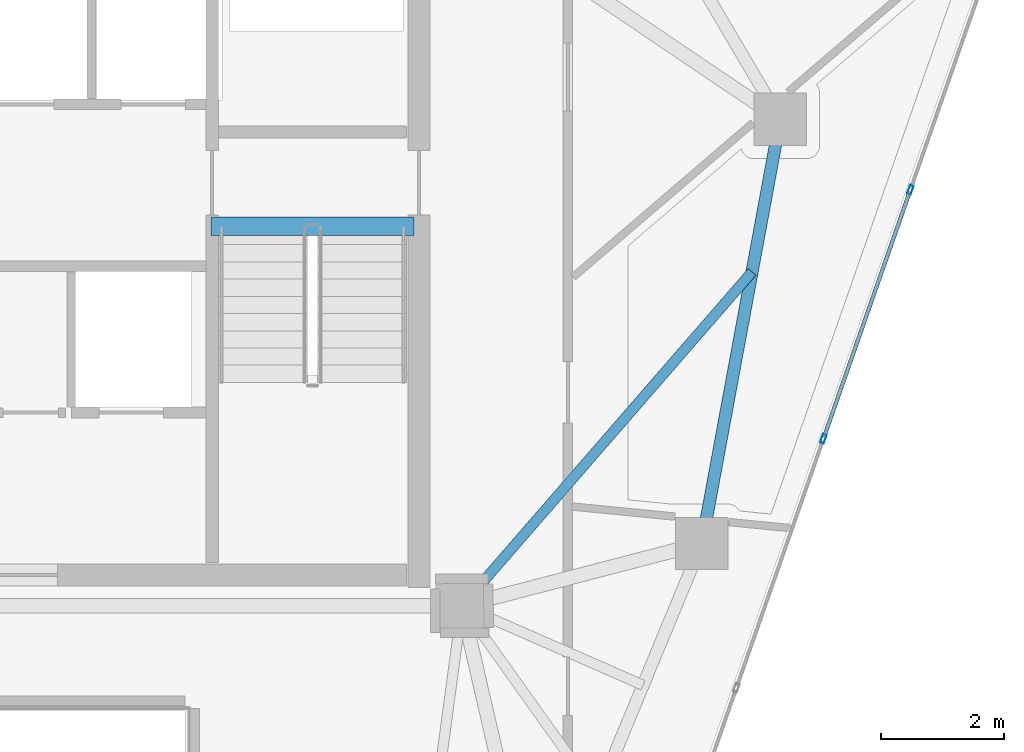
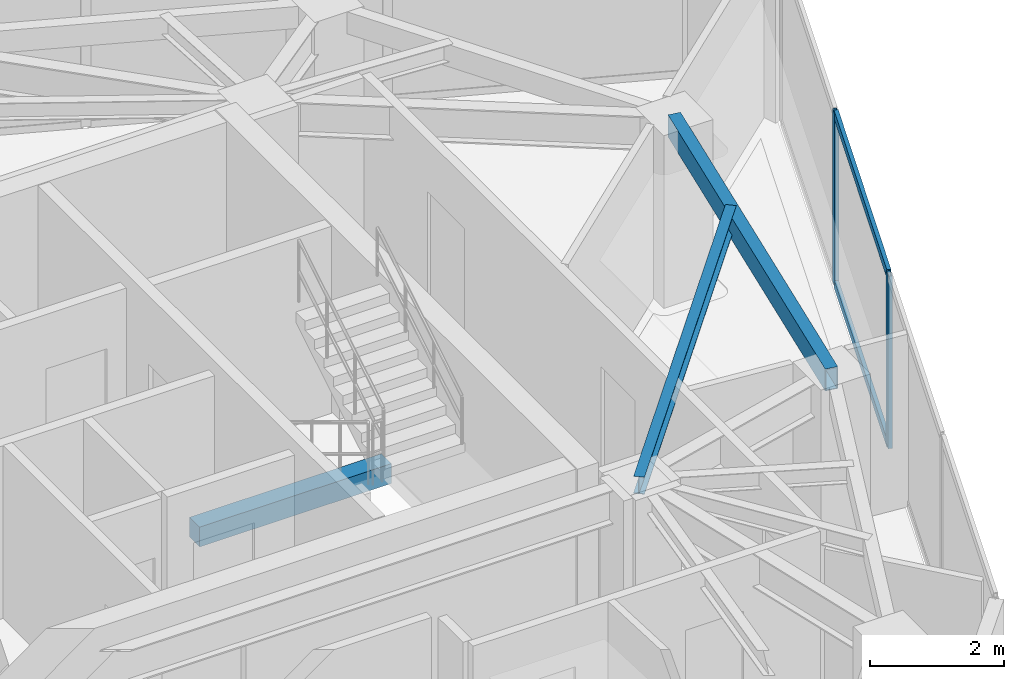
# One storey, part 12 of 21: 4 members, 3 beams, 1 element without a shape of its own.
"""IFC4 building model written with IfcOpenShell, lengths in metres."""

from ifc_helpers import new_model, si_unit, direction, frame, origin, origin_2d, place, context, subcontext, project, spatial, rectangle, hollow_rectangle, i_section, extrude, source, transform, mapped, material, layer, layer_set, material_profile, profile_set, type_object, type_shapes, element, aggregate, save


model = new_model("IFC4")

# Units and contexts
model_context = context("Model", 3, precision=1e-05, world=origin(), true_north=direction((0.0, 1.0)))
body_context = subcontext(model_context, "Body", "Model", "MODEL_VIEW")
ifc_project = project(units=[si_unit("LENGTHUNIT", "METRE"), si_unit("AREAUNIT", "SQUARE_METRE"), si_unit("VOLUMEUNIT", "CUBIC_METRE"), si_unit("PLANEANGLEUNIT", "RADIAN"), si_unit("MASSUNIT", "GRAM", prefix="KILO")], contexts=[model_context])

# Site, building, storey
site_placement = place(None, origin())
site = spatial("IfcSite", under=ifc_project, at=site_placement, CompositionType="ELEMENT")
building_placement = place(site_placement, origin())
building = spatial("IfcBuilding", under=site, at=building_placement, Name="Talar Marvaseh", CompositionType="ELEMENT")
storey_placement = place(building_placement, frame((0.0, 0.0, 264.60009765625)))
storey = spatial("IfcBuildingStorey", under=building, at=storey_placement, Name="L70", CompositionType="ELEMENT", Elevation=264.60009765625)

# Beams
ifc_material_1 = material(Name="Concrete C40/50", Category="concrete")
ifc_material_profile_1 = material_profile(ifc_material_1, rectangle(XDim=0.300048828125, YDim=0.360107421875, at=origin_2d()), Name="RC300x360")
ifc_profile_set_1 = profile_set([ifc_material_profile_1], Name="Concrete C40/50")
beam_type_1 = type_object("IfcBeamType", Name="Concrete Stair Landing Trimmer Beam RC300x360", PredefinedType="SPANDREL", material=ifc_profile_set_1)
beam_1_placement = place(storey_placement, frame((29.219970703125, 31.669921875, -0.18017578125), z_axis=(1.0, 0.0, 0.0), x_axis=(0.0, 1.0, 0.0)))
element("IfcBeam", 1, at=beam_1_placement, inside=storey, type_object=beam_type_1, Name="L70 ST-2 Stair Nosing Trimmer Beam", PredefinedType="SPANDREL", context=body_context, shape_type="SweptSolid", body=[
    extrude(rectangle(XDim=0.300048828125, YDim=0.360107421875, at=origin_2d()), origin(), (0.0, 0.0, 1.0), 3.300048828125),
])
ifc_material_2 = material(Name="Steel S355", Category="steel")
ifc_material_profile_2 = material_profile(ifc_material_2, hollow_rectangle(XDim=0.199951171875, YDim=0.39990234375, WallThickness=0.013916015625, at=origin_2d()), Name="RHS400x200x14")
ifc_profile_set_2 = profile_set([ifc_material_profile_2], Name="Steel S355")
beam_type_2 = type_object("IfcBeamType", Name="Zone 3 Perimeter Spandrel Beam RHS400x200x14", PredefinedType="SPANDREL", material=ifc_profile_set_2)
beam_2_placement = place(storey_placement, frame((38.470947265625, 33.406005859375, 2.93994140625), z_axis=(-0.181759950929, -0.983342931148, 0.0), x_axis=(0.983342931148, -0.181759950929, 0.0)))
element("IfcBeam", 2, at=beam_2_placement, inside=storey, type_object=beam_type_2, Name="L70 Zone 3 Perimeter Spandrel Beam RHS400x200x14", PredefinedType="SPANDREL", context=body_context, shape_type="SweptSolid", body=[
    extrude(hollow_rectangle(XDim=0.199951171875, YDim=0.39990234375, WallThickness=0.013916015625, at=origin_2d()), origin(), (0.0, 0.0, 1.0), 7.0087890625),
])
ifc_material_profile_3 = material_profile(ifc_material_2, i_section(OverallWidth=0.166015625, OverallDepth=0.31298828125, WebThickness=0.006591796875, FlangeThickness=0.01123046875, at=origin_2d()), Name="W310x45")
ifc_profile_set_3 = profile_set([ifc_material_profile_3], Name="Steel S355")
beam_type_3 = type_object("IfcBeamType", Name="Zone 3 Secondary Floor Joist W310x45", PredefinedType="JOIST", material=ifc_profile_set_3)
beam_3_placement = place(storey_placement, frame((38.012451171875, 30.9248046875, 2.9833984375), z_axis=(-0.655796743858, -0.754937501218, 0.0), x_axis=(0.754937501218, -0.655796743858, 0.0)))
element("IfcBeam", 3, at=beam_3_placement, inside=storey, type_object=beam_type_3, Name="L70 Zone 3 Secondary Floor Joist W310x45", PredefinedType="JOIST", context=body_context, shape_type="SweptSolid", body=[
    extrude(i_section(OverallWidth=0.166015625, OverallDepth=0.31298828125, WebThickness=0.006591796875, FlangeThickness=0.01123046875, at=origin_2d()), origin(), (0.0, 0.0, 1.0), 7.185791015625),
])

# Curtain wall, members
ifc_material_3 = material(Name="Architectural Aluminium", Category="aluminium")
ifc_layer = layer(ifc_material_3, 0.179931640625)
ifc_layer_set = layer_set([ifc_layer], Name="Architectural Aluminium")
curtain_wall_type = type_object("IfcCurtainWallType", Name="Unitised High-Wind Sky Curtain Wall Z4", PredefinedType="NOTDEFINED", material=ifc_layer_set)
curtain_wall_placement = place(storey_placement, origin())
curtain_wall = element("IfcCurtainWall", 4, at=curtain_wall_placement, inside=storey, type_object=curtain_wall_type, Name="L70 Unitised High-Wind Sky Curtain Wall Z4", PredefinedType="NOTDEFINED")
ifc_material_profile_4 = material_profile(ifc_material_3, hollow_rectangle(XDim=0.06494140625, YDim=0.14990234375, WallThickness=0.00390625, at=origin_2d()), Name="RHS150x65x4")
ifc_profile_set_4 = profile_set([ifc_material_profile_4], Name="Architectural Aluminium")
member_type_1 = type_object("IfcMemberType", Name="Unitised Curtain Wall Slim Mullion RHS150x65x4", PredefinedType="MULLION", material=ifc_profile_set_4)
shared_shape_1 = source(origin(), body_context, "Body", "SweptSolid", [
    extrude(hollow_rectangle(XDim=0.06494140625, YDim=0.14990234375, WallThickness=0.00390625, at=origin_2d()), origin(), (0.0, 0.0, 1.0), 3.139892578125),
])
type_shapes(member_type_1, [shared_shape_1])
member_1_placement = place(storey_placement, frame((40.58642578125, 32.260986328125, 0.0), z_axis=(0.0, 0.0, 1.0), x_axis=(0.94403753333, -0.329838044597, 0.0)))
member_1 = element("IfcMember", 5, at=member_1_placement, type_object=member_type_1, Name="CW-Z4 mullion 2", PredefinedType="MULLION", context=body_context, shape_type="MappedRepresentation", body=[
    mapped(shared_shape_1, transform((0.0, 0.0, 0.0), x_axis=(1.0, 0.0, 0.0), y_axis=(0.0, 1.0, 0.0), z_axis=(0.0, 0.0, 1.0), scale=1.0)),
])
member_2_placement = place(storey_placement, frame((39.172607421875, 28.214599609375, 0.0), z_axis=(0.0, 0.0, 1.0), x_axis=(0.94403753333, -0.329838044597, 0.0)))
member_2 = element("IfcMember", 6, at=member_2_placement, type_object=member_type_1, Name="CW-Z4 mullion 3", PredefinedType="MULLION", context=body_context, shape_type="MappedRepresentation", body=[
    mapped(shared_shape_1, transform((0.0, 0.0, 0.0), x_axis=(1.0, 0.0, 0.0), y_axis=(0.0, 1.0, 0.0), z_axis=(0.0, 0.0, 1.0), scale=1.0)),
])
ifc_material_profile_5 = material_profile(ifc_material_3, hollow_rectangle(XDim=0.06494140625, YDim=0.14990234375, WallThickness=0.00390625, at=origin_2d()), Name="RHS150x65x4")
ifc_profile_set_5 = profile_set([ifc_material_profile_5], Name="Architectural Aluminium")
member_type_2 = type_object("IfcMemberType", Name="Unitised Curtain Wall Slim Transom RHS150x65x4", PredefinedType="USERDEFINED", material=ifc_profile_set_5)
shared_shape_2 = source(origin(), body_context, "Body", "SweptSolid", [
    extrude(hollow_rectangle(XDim=0.06494140625, YDim=0.14990234375, WallThickness=0.00390625, at=origin_2d()), origin(), (0.0, 0.0, 1.0), 4.221435546875),
])
type_shapes(member_type_2, [shared_shape_2])
member_3_placement = place(storey_placement, frame((40.57568359375, 32.230224609375, 0.032470703125), z_axis=(-0.329832565682, -0.944039447595, 0.0), x_axis=(0.944039447595, -0.329832565682, 0.0)))
member_3 = element("IfcMember", 7, at=member_3_placement, type_object=member_type_2, Name="CW-Z4 transom 2.1", ObjectType="TRANSOM", PredefinedType="USERDEFINED", context=body_context, shape_type="MappedRepresentation", body=[
    mapped(shared_shape_2, transform((0.0, 0.0, 0.0), x_axis=(1.0, 0.0, 0.0), y_axis=(0.0, 1.0, 0.0), z_axis=(0.0, 0.0, 1.0), scale=1.0)),
])
member_4_placement = place(storey_placement, frame((40.57568359375, 32.230224609375, 3.107421875), z_axis=(-0.329832565682, -0.944039447595, 0.0), x_axis=(0.944039447595, -0.329832565682, 0.0)))
member_4 = element("IfcMember", 8, at=member_4_placement, type_object=member_type_2, Name="CW-Z4 transom 2.2", ObjectType="TRANSOM", PredefinedType="USERDEFINED", context=body_context, shape_type="MappedRepresentation", body=[
    mapped(shared_shape_2, transform((0.0, 0.0, 0.0), x_axis=(1.0, 0.0, 0.0), y_axis=(0.0, 1.0, 0.0), z_axis=(0.0, 0.0, 1.0), scale=1.0)),
])
aggregate(curtain_wall, [member_1, member_2, member_3, member_4])

save(model, "model.ifc")
